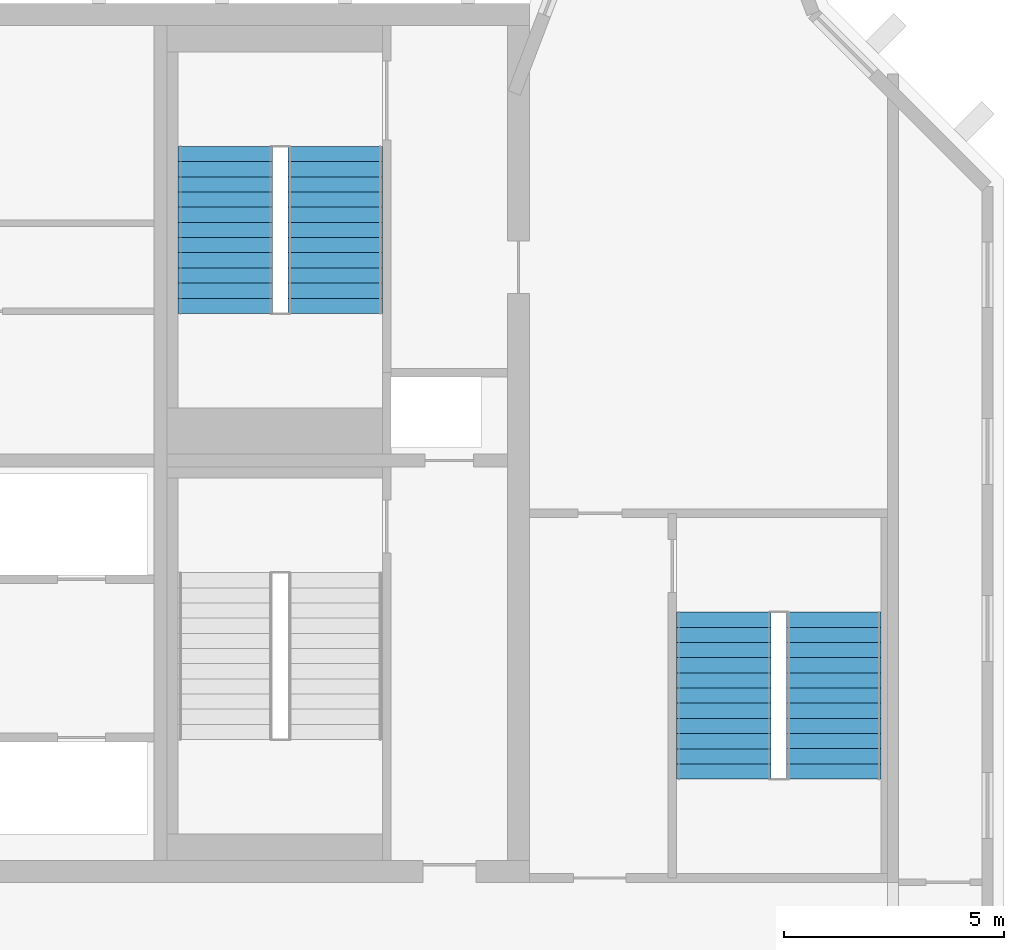
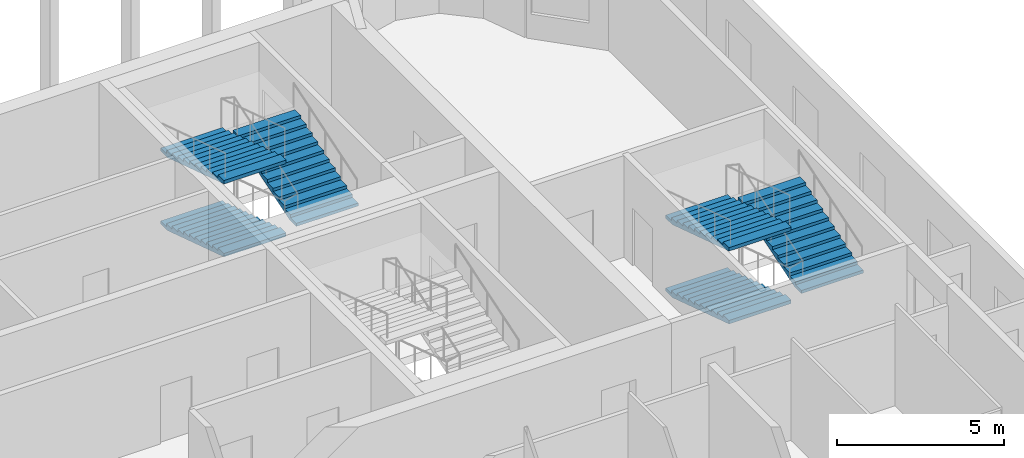
# One storey, part 9 of 13: 6 stair flights, 2 elements without a shape of their own.
"""IFC4 building model written with IfcOpenShell, lengths in metres."""

from ifc_helpers import new_model, si_unit, direction, frame, origin, place, context, subcontext, project, spatial, polyline, outline, extrude, source, transform, mapped, material, type_object, element, aggregate, save


model = new_model("IFC4")

# Units and contexts
model_context = context("Model", 3, precision=1e-05, world=origin(), true_north=direction((0.0, 1.0)))
body_context = subcontext(model_context, "Body", "Model", "MODEL_VIEW")
ifc_project = project(units=[si_unit("LENGTHUNIT", "METRE"), si_unit("AREAUNIT", "SQUARE_METRE"), si_unit("VOLUMEUNIT", "CUBIC_METRE"), si_unit("PLANEANGLEUNIT", "RADIAN"), si_unit("MASSUNIT", "GRAM", prefix="KILO")], contexts=[model_context])

# Site, building, storey
site_placement = place(None, origin())
site = spatial("IfcSite", under=ifc_project, at=site_placement, CompositionType="ELEMENT")
building_placement = place(site_placement, origin())
building = spatial("IfcBuilding", under=site, at=building_placement, Name="Vanashikhar Sky Hotel", CompositionType="ELEMENT")
storey_placement = place(building_placement, frame((0.0, 0.0, 277.699951171875)))
storey = spatial("IfcBuildingStorey", under=building, at=storey_placement, Name="L66", CompositionType="ELEMENT", Elevation=277.699951171875)

# Stair, stair flights
ifc_material = material(Name="Concrete M40", Category="concrete")
stair_type = type_object("IfcStairType", Name="Exit stair 2150", PredefinedType="DOUBLE_RETURN_STAIR", material=ifc_material)
stair_1_placement = place(storey_placement, origin())
stair_1 = element("IfcStair", 1, at=stair_1_placement, inside=storey, type_object=stair_type, Name="L66 Exit stair 4", PredefinedType="DOUBLE_RETURN_STAIR")
stair_flight_type = type_object("IfcStairFlightType", Name="Stair flight 2150", PredefinedType="STRAIGHT", material=ifc_material)
shared_shape = source(origin(), body_context, "Body", "SweptSolid", [
    extrude(outline(polyline([(0.0, 0.0), (0.0, 0.111083984375), (0.345458984375, 0.111083984375), (0.345458984375, 0.22216796875), (0.69091796875, 0.22216796875), (0.69091796875, 0.333251953125), (1.036376953125, 0.333251953125), (1.036376953125, 0.4443359375), (1.3818359375, 0.4443359375), (1.3818359375, 0.5556640625), (1.727294921875, 0.5556640625), (1.727294921875, 0.666748046875), (2.07275390625, 0.666748046875), (2.07275390625, 0.77783203125), (2.418212890625, 0.77783203125), (2.418212890625, 0.888916015625), (2.763671875, 0.888916015625), (2.763671875, 1.0), (3.109130859375, 1.0), (3.109130859375, 1.111083984375), (3.45458984375, 1.111083984375), (3.45458984375, 1.22216796875), (3.800048828125, 1.22216796875), (3.800048828125, 1.333251953125), (3.800048828125, 1.095947265625), (0.392333984375, 0.0), (0.0, 0.0)])), frame((0.0, 1.074951171875, 0.0), z_axis=(0.0, -1.0, 0.0), x_axis=(1.0, 0.0, 0.0)), (0.0, 0.0, 1.0), 2.14990234375),
])
stair_flight_1_placement = place(storey_placement, frame((80.02490234375, 28.14990234375, 0.0), z_axis=(0.0, 0.0, 1.0), x_axis=(0.0, -1.0, 0.0)))
stair_flight_1 = element("IfcStairFlight", 2, at=stair_flight_1_placement, type_object=stair_flight_type, Name="ST-E flight 1", NumberOfRisers=12, NumberOfTreads=11, PredefinedType="STRAIGHT", RiserHeight=0.111111111, TreadLength=0.345454545, context=body_context, shape_type="MappedRepresentation", body=[
    mapped(shared_shape, transform((0.0, 0.0, 0.0), scale=1.0)),
])
stair_flight_2_placement = place(storey_placement, frame((82.52490234375, 24.35009765625, 1.33349609375), z_axis=(0.0, 0.0, 1.0), x_axis=(0.0, 1.0, 0.0)))
stair_flight_2 = element("IfcStairFlight", 3, at=stair_flight_2_placement, type_object=stair_flight_type, Name="ST-E flight 2", NumberOfRisers=12, NumberOfTreads=11, PredefinedType="STRAIGHT", RiserHeight=0.111111111, TreadLength=0.345454545, context=body_context, shape_type="MappedRepresentation", body=[
    mapped(shared_shape, transform((0.0, 0.0, 0.0), scale=1.0)),
])
stair_flight_3_placement = place(storey_placement, frame((80.02490234375, 28.14990234375, 2.666748046875), z_axis=(0.0, 0.0, 1.0), x_axis=(0.0, -1.0, 0.0)))
stair_flight_3 = element("IfcStairFlight", 4, at=stair_flight_3_placement, type_object=stair_flight_type, Name="ST-E flight 3", NumberOfRisers=12, NumberOfTreads=11, PredefinedType="STRAIGHT", RiserHeight=0.111111111, TreadLength=0.345454545, context=body_context, shape_type="MappedRepresentation", body=[
    mapped(shared_shape, transform((0.0, 0.0, 0.0), scale=1.0)),
])
aggregate(stair_1, [stair_flight_1, stair_flight_2, stair_flight_3])

stair_2_placement = place(storey_placement, origin())
stair_2 = element("IfcStair", 5, at=stair_2_placement, inside=storey, type_object=stair_type, Name="L66 Exit stair 6", PredefinedType="DOUBLE_RETURN_STAIR")
stair_flight_4_placement = place(storey_placement, frame((68.675048828125, 38.75, 0.0), z_axis=(0.0, 0.0, 1.0), x_axis=(0.0, -1.0, 0.0)))
stair_flight_4 = element("IfcStairFlight", 6, at=stair_flight_4_placement, type_object=stair_flight_type, Name="ST-C4 flight 1", NumberOfRisers=12, NumberOfTreads=11, PredefinedType="STRAIGHT", RiserHeight=0.111111111, TreadLength=0.345454545, context=body_context, shape_type="MappedRepresentation", body=[
    mapped(shared_shape, transform((0.0, 0.0, 0.0), scale=1.0)),
])
stair_flight_5_placement = place(storey_placement, frame((71.175048828125, 34.949951171875, 1.33349609375), z_axis=(0.0, 0.0, 1.0), x_axis=(0.0, 1.0, 0.0)))
stair_flight_5 = element("IfcStairFlight", 7, at=stair_flight_5_placement, type_object=stair_flight_type, Name="ST-C4 flight 2", NumberOfRisers=12, NumberOfTreads=11, PredefinedType="STRAIGHT", RiserHeight=0.111111111, TreadLength=0.345454545, context=body_context, shape_type="MappedRepresentation", body=[
    mapped(shared_shape, transform((0.0, 0.0, 0.0), scale=1.0)),
])
stair_flight_6_placement = place(storey_placement, frame((68.675048828125, 38.75, 2.666748046875), z_axis=(0.0, 0.0, 1.0), x_axis=(0.0, -1.0, 0.0)))
stair_flight_6 = element("IfcStairFlight", 8, at=stair_flight_6_placement, type_object=stair_flight_type, Name="ST-C4 flight 3", NumberOfRisers=12, NumberOfTreads=11, PredefinedType="STRAIGHT", RiserHeight=0.111111111, TreadLength=0.345454545, context=body_context, shape_type="MappedRepresentation", body=[
    mapped(shared_shape, transform((0.0, 0.0, 0.0), scale=1.0)),
])
aggregate(stair_2, [stair_flight_4, stair_flight_5, stair_flight_6])

save(model, "model.ifc")
